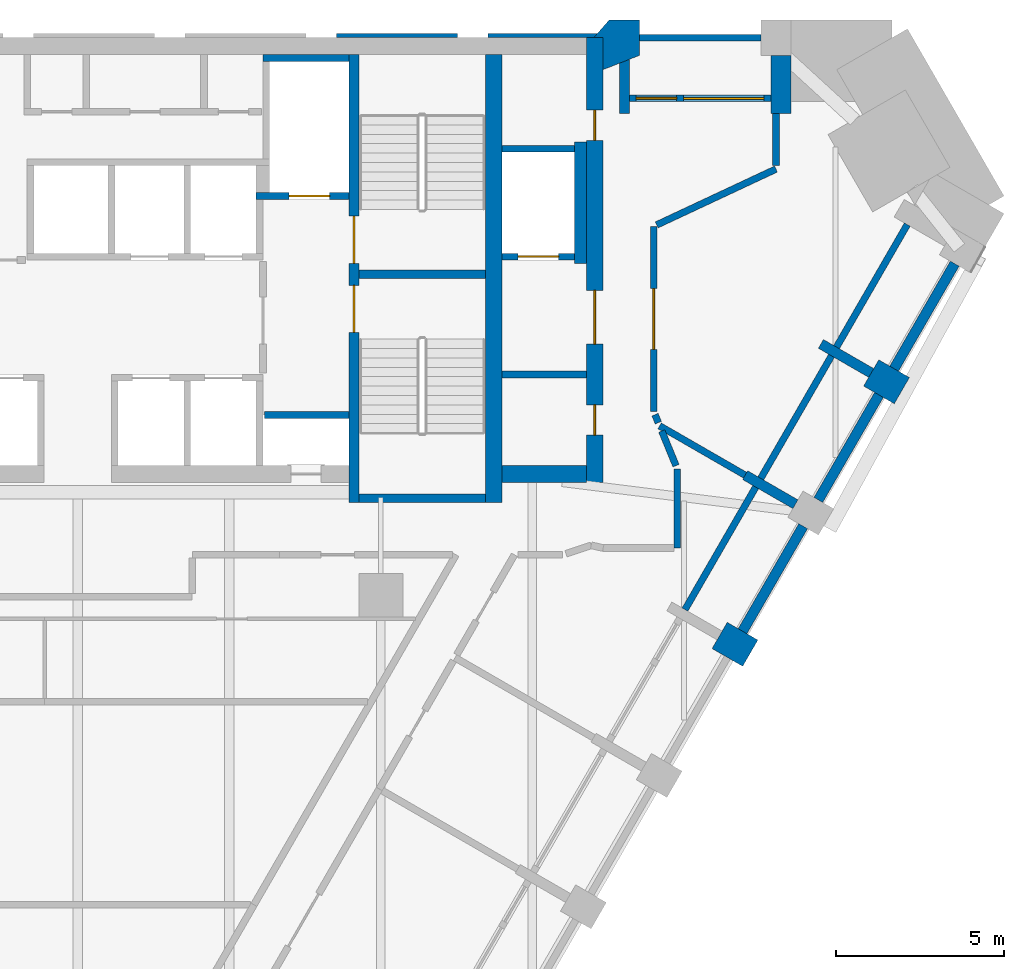
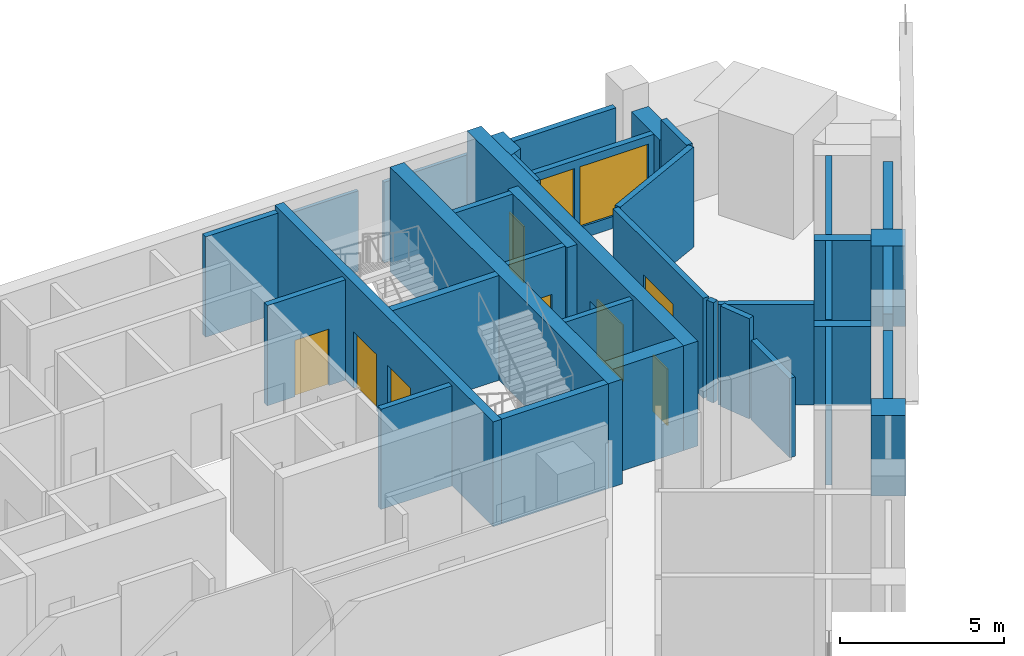
# One storey, part 7 of 9: 37 walls, 9 doors, 1 window, 10 openings.
"""IFC4 building model written with IfcOpenShell, lengths in metres."""

from ifc_helpers import new_model, si_unit, direction, frame, frame_2d, origin, place, context, subcontext, project, spatial, polyline, rectangle, outline, extrude, material, layer, layer_set, type_object, element, fill, save


model = new_model("IFC4")

# Units and contexts
model_context = context("Model", 3, precision=1e-05, world=origin(), true_north=direction((0.0, 1.0)))
body_context = subcontext(model_context, "Body", "Model", "MODEL_VIEW")
ifc_project = project(units=[si_unit("LENGTHUNIT", "METRE"), si_unit("AREAUNIT", "SQUARE_METRE"), si_unit("VOLUMEUNIT", "CUBIC_METRE"), si_unit("PLANEANGLEUNIT", "RADIAN"), si_unit("MASSUNIT", "GRAM", prefix="KILO")], contexts=[model_context])

# Site, building, storey
site_placement = place(None, origin())
site = spatial("IfcSite", under=ifc_project, at=site_placement, CompositionType="ELEMENT")
building_placement = place(site_placement, origin())
building = spatial("IfcBuilding", under=site, at=building_placement, Name="Calabash Gate Tower", CompositionType="ELEMENT")
storey_placement = place(building_placement, frame((0.0, 0.0, 168.0)))
storey = spatial("IfcBuildingStorey", under=building, at=storey_placement, Name="L39", CompositionType="ELEMENT", Elevation=168.0)

# Walls
ifc_material_1 = material(Name="Terracotta brick masonry, exposed face", Category="masonry")
ifc_layer_1 = layer(ifc_material_1, 1.050048828125)
ifc_layer_set_1 = layer_set([ifc_layer_1], Name="Brick end wall 1050")
wall_type_1 = type_object("IfcWallType", Name="Brick end wall 1050", PredefinedType="SOLIDWALL", material=ifc_layer_set_1)
wall_1_placement = place(storey_placement, frame((19.058349609375, 1.30419921875, 0.0), z_axis=(0.0, 0.0, 1.0), x_axis=(0.866030680601, -0.499990860175, 0.0)))
element("IfcWall", 1, at=wall_1_placement, inside=storey, type_object=wall_type_1, Name="Brick pier S11 SE4.5", PredefinedType="SOLIDWALL", context=body_context, shape_type="SweptSolid", body=[
    extrude(rectangle(XDim=1.0498046875, YDim=0.89990234375, at=frame_2d((0.52490234375, 0.0))), origin(), (0.0, 0.0, 1.0), 3.0),
])
wall_2_placement = place(storey_placement, frame((24.467529296875, 8.573486328125, 0.0), z_axis=(0.0, 0.0, 1.0), x_axis=(-0.86592997719, 0.500165247297, 0.0)))
element("IfcWall", 2, at=wall_2_placement, inside=storey, type_object=wall_type_1, Name="Brick pier S11 SE4.7", PredefinedType="SOLIDWALL", context=body_context, shape_type="SweptSolid", body=[
    extrude(rectangle(XDim=1.050048828125, YDim=0.89990234375, at=frame_2d((0.52490234375, 0.0))), origin(), (0.0, 0.0, 1.0), 3.0),
])
wall_3_placement = place(storey_placement, origin())
element("IfcWall", 3, at=wall_3_placement, inside=storey, type_object=wall_type_1, Name="Brick pier S11 N6.1", PredefinedType="SOLIDWALL", context=body_context, shape_type="SweptSolid", body=[
    extrude(outline(polyline([(15.60009765625, 18.104248046875), (16.6796875, 18.527587890625), (16.6796875, 19.57763671875), (15.779541015625, 19.57763671875), (15.319580078125, 19.052490234375), (15.60009765625, 19.052490234375), (15.60009765625, 18.104248046875)])), origin(), (0.0, 0.0, 1.0), 3.0),
])
ifc_material_2 = material(Name="Terracotta brick masonry, exposed face", Category="masonry")
ifc_layer_2 = layer(ifc_material_2, 0.300048828125)
ifc_layer_set_2 = layer_set([ifc_layer_2], Name="Brick infill panel wall 300")
wall_type_2 = type_object("IfcWallType", Name="Brick infill panel wall 300", PredefinedType="SOLIDWALL", material=ifc_layer_set_2)
wall_4_placement = place(storey_placement, frame((19.738037109375, 1.431396484375, 0.0), z_axis=(0.0, 0.0, 1.0), x_axis=(0.499982693035, 0.866035395735, 0.0)))
element("IfcWall", 4, at=wall_4_placement, inside=storey, type_object=wall_type_2, Name="Brick panel S11 SE4.6", PredefinedType="SOLIDWALL", context=body_context, shape_type="SweptSolid", body=[
    extrude(rectangle(XDim=3.600341796875, YDim=0.300048828125, at=frame_2d((1.80029296875, 0.0))), origin(), (0.0, 0.0, 1.0), 3.0),
])
for number, where, z_axis, x_axis, name in (
    (5, (21.988037109375, 5.32861328125, 0.0), (0.0, 0.0, 1.0), (0.500012057535, 0.866018442252, 0.0), "Brick panel S11 SE4.7"),
    (6, (24.238037109375, 9.225830078125, 0.0), (0.0, 0.0, 1.0), (0.500012057535, 0.866018442252, 0.0), "Brick panel S11 SE4.8"),
):
    element("IfcWall", number, at=place(storey_placement, frame(where, z_axis=z_axis, x_axis=x_axis)), inside=storey, type_object=wall_type_2, Name=name, PredefinedType="SOLIDWALL", context=body_context, shape_type="SweptSolid", body=[
        extrude(rectangle(XDim=3.60009765625, YDim=0.300048828125, at=frame_2d((1.800048828125, 0.0))), origin(), (0.0, 0.0, 1.0), 3.0),
    ])
ifc_material_3 = material(Name="Terracotta brick masonry, exposed face", Category="masonry")
ifc_layer_3 = layer(ifc_material_3, 0.300048828125)
ifc_layer_set_3 = layer_set([ifc_layer_3], Name="Brick loggia cheek wall 300")
wall_type_3 = type_object("IfcWallType", Name="Brick loggia cheek wall 300", PredefinedType="SOLIDWALL", material=ifc_layer_set_3)
wall_5_placement = place(storey_placement, frame((19.814453125, 6.06396484375, 0.0), z_axis=(0.0, 0.0, 1.0), x_axis=(0.866013532718, -0.500020560727, 0.0)))
element("IfcWall", 7, at=wall_5_placement, inside=storey, type_object=wall_type_3, Name="Loggia cheek S11 SE4.6", PredefinedType="SOLIDWALL", context=body_context, shape_type="SweptSolid", body=[
    extrude(rectangle(XDim=1.72509765625, YDim=0.300048828125, at=frame_2d((0.862548828125, 0.0))), origin(), (0.0, 0.0, 1.0), 2.9501953125),
])
wall_6_placement = place(storey_placement, frame((23.558349609375, 9.0986328125, 0.0), z_axis=(0.0, 0.0, 1.0), x_axis=(-0.866074815912, 0.499914405916, 0.0)))
element("IfcWall", 8, at=wall_6_placement, inside=storey, type_object=wall_type_3, Name="Loggia cheek S11 SE4.7", PredefinedType="SOLIDWALL", context=body_context, shape_type="SweptSolid", body=[
    extrude(rectangle(XDim=1.724853515625, YDim=0.300048828125, at=frame_2d((0.8623046875, 0.0))), origin(), (0.0, 0.0, 1.0), 3.0),
])
wall_7_placement = place(storey_placement, origin())
element("IfcWall", 9, at=wall_7_placement, inside=storey, type_object=wall_type_3, Name="Loggia cheek S11 N6.0", PredefinedType="SOLIDWALL", context=body_context, shape_type="SweptSolid", body=[
    extrude(outline(polyline([(21.1796875, 16.802490234375), (21.1796875, 18.527587890625), (20.57958984375, 18.527587890625), (20.57958984375, 16.802490234375), (21.1796875, 16.802490234375)])), origin(), (0.0, 0.0, 1.0), 3.0),
])
wall_8_placement = place(storey_placement, origin())
element("IfcWall", 10, at=wall_8_placement, inside=storey, type_object=wall_type_3, Name="Loggia cheek S11 N6.1", PredefinedType="SOLIDWALL", context=body_context, shape_type="SweptSolid", body=[
    extrude(outline(polyline([(16.07958984375, 18.292236328125), (16.07958984375, 16.802490234375), (16.379638671875, 16.802490234375), (16.379638671875, 18.409912109375), (16.07958984375, 18.292236328125)])), origin(), (0.0, 0.0, 1.0), 3.0),
])
ifc_material_4 = material(Name="Gypsum board on steel studs, mineral wool", Category="steel")
ifc_layer_4 = layer(ifc_material_4, 0.199951171875)
ifc_layer_set_4 = layer_set([ifc_layer_4], Name="Core partition 200 gypsum board")
wall_type_4 = type_object("IfcWallType", Name="Core partition 200 gypsum board", PredefinedType="PARTITIONING", material=ifc_layer_set_4)
wall_9_placement = place(storey_placement, frame((12.60009765625, 9.052490234375, 0.0), z_axis=(0.0, 0.0, 1.0), x_axis=(1.0, 0.0, 0.0)))
element("IfcWall", 11, at=wall_9_placement, inside=storey, type_object=wall_type_4, Name="Core partition", PredefinedType="PARTITIONING", context=body_context, shape_type="SweptSolid", body=[
    extrude(rectangle(XDim=2.5, YDim=0.199951171875, at=frame_2d((1.25, 0.0))), origin(), (0.0, 0.0, 1.0), 3.72998046875),
])
ifc_material_5 = material(Name="Concrete C70/85", Category="concrete")
ifc_layer_5 = layer(ifc_material_5, 0.25)
ifc_layer_set_5 = layer_set([ifc_layer_5], Name="Core wall 250 Concrete C70/85")
wall_type_5 = type_object("IfcWallType", Name="Core wall 250 Concrete C70/85", PredefinedType="SHEAR", material=ifc_layer_set_5)
for number, where, z_axis, x_axis, name in (
    (12, (8.35009765625, 12.027587890625, 0.0), (0.0, 0.0, 1.0), (1.0, 0.0, 0.0), "Core wall Z3-MIDE L39"),
    (13, (8.35009765625, 5.377685546875, 0.0), (0.0, 0.0, 1.0), (1.0, 0.0, 0.0), "Core wall Z3-SSE L39"),
):
    element("IfcWall", number, at=place(storey_placement, frame(where, z_axis=z_axis, x_axis=x_axis)), inside=storey, type_object=wall_type_5, Name=name, PredefinedType="SHEAR", context=body_context, shape_type="SweptSolid", body=[
        extrude(rectangle(XDim=3.75, YDim=0.25, at=frame_2d((1.875, 0.0))), origin(), (0.0, 0.0, 1.0), 3.89990234375),
    ])

# Wall, openings, doors
ifc_material_6 = material(Name="Concrete C70/85", Category="concrete")
ifc_layer_6 = layer(ifc_material_6, 0.300048828125)
ifc_layer_set_6 = layer_set([ifc_layer_6], Name="Core wall 300 Concrete C70/85")
wall_type_6 = type_object("IfcWallType", Name="Core wall 300 Concrete C70/85", PredefinedType="SHEAR", material=ifc_layer_set_6)
wall_10_placement = place(storey_placement, frame((8.199951171875, 5.252685546875, 0.0), z_axis=(0.0, 0.0, 1.0), x_axis=(0.0, 1.0, 0.0)))
wall_10 = element("IfcWall", 14, at=wall_10_placement, inside=storey, type_object=wall_type_6, Name="Core wall Z3-PARTE L39", PredefinedType="SHEAR", context=body_context, shape_type="SweptSolid", body=[
    extrude(rectangle(XDim=13.2998046875, YDim=0.300048828125, at=frame_2d((6.64990234375, 0.0))), origin(), (0.0, 0.0, 1.0), 3.89990234375),
])
opening_1_placement = place(wall_10_placement, frame((7.10009765625, 0.0, 0.0)))
opening_1 = element("IfcOpeningElement", 15, at=opening_1_placement, cuts=wall_10, Name="Opening O3-019", PredefinedType="OPENING", context=body_context, shape_type="SweptSolid", body=[
    extrude(rectangle(XDim=1.39990234375, YDim=2.10009765625, at=frame_2d((0.699951171875, 1.050048828125))), frame((0.0, 0.159912109375, 0.0), z_axis=(0.0, -1.0, 0.0), x_axis=(1.0, 0.0, 0.0)), (0.0, 0.0, 1.0), 0.320068359375),
])
opening_2_placement = place(wall_10_placement, frame((5.050048828125, 0.0, 0.0)))
opening_2 = element("IfcOpeningElement", 16, at=opening_2_placement, cuts=wall_10, Name="Opening O3-020", PredefinedType="OPENING", context=body_context, shape_type="SweptSolid", body=[
    extrude(rectangle(XDim=1.39990234375, YDim=2.10009765625, at=frame_2d((0.699951171875, 1.050048828125))), frame((0.0, 0.159912109375, 0.0), z_axis=(0.0, -1.0, 0.0), x_axis=(1.0, 0.0, 0.0)), (0.0, 0.0, 1.0), 0.320068359375),
])
ifc_material_7 = material(Name="Steel fire door set with fire-resisting glazing", Category="steel")
door_type_1 = type_object("IfcDoorType", Name="Fire door D05 1400x2100 FD90", OperationType="NOTDEFINED", PredefinedType="DOOR", material=ifc_material_7)
door_1_placement = place(opening_1_placement, origin())
door_1 = element("IfcDoor", 17, at=door_1_placement, inside=storey, type_object=door_type_1, Name="Exit stair door ST3", OperationType="SINGLE_SWING_RIGHT", OverallHeight=2.10009765625, OverallWidth=1.39990234375, PredefinedType="DOOR", context=body_context, shape_type="SweptSolid", body=[
    extrude(rectangle(XDim=1.39990234375, YDim=2.10009765625, at=frame_2d((0.699951171875, 1.050048828125))), frame((0.0, 0.02490234375, 0.0), z_axis=(0.0, -1.0, 0.0), x_axis=(1.0, 0.0, 0.0)), (0.0, 0.0, 1.0), 0.050048828125),
])
fill(opening_1, door_1)
door_2_placement = place(opening_2_placement, origin())
door_2 = element("IfcDoor", 18, at=door_2_placement, inside=storey, type_object=door_type_1, Name="Exit stair door ST4", OperationType="SINGLE_SWING_LEFT", OverallHeight=2.10009765625, OverallWidth=1.39990234375, PredefinedType="DOOR", context=body_context, shape_type="SweptSolid", body=[
    extrude(rectangle(XDim=1.39990234375, YDim=2.10009765625, at=frame_2d((0.699951171875, 1.050048828125))), frame((0.0, 0.02490234375, 0.0), z_axis=(0.0, -1.0, 0.0), x_axis=(1.0, 0.0, 0.0)), (0.0, 0.0, 1.0), 0.050048828125),
])
fill(opening_2, door_2)

# Walls
ifc_material_8 = material(Name="Concrete C70/85", Category="concrete")
ifc_layer_7 = layer(ifc_material_8, 0.5)
ifc_layer_set_7 = layer_set([ifc_layer_7], Name="Core wall 500 Concrete C70/85")
wall_type_7 = type_object("IfcWallType", Name="Core wall 500 Concrete C70/85", PredefinedType="SHEAR", material=ifc_layer_set_7)
wall_11_placement = place(storey_placement, frame((12.35009765625, 5.252685546875, 0.0), z_axis=(0.0, 0.0, 1.0), x_axis=(0.0, 1.0, 0.0)))
element("IfcWall", 19, at=wall_11_placement, inside=storey, type_object=wall_type_7, Name="Core wall Z3-COLE L39", PredefinedType="SHEAR", context=body_context, shape_type="SweptSolid", body=[
    extrude(rectangle(XDim=13.2998046875, YDim=0.5, at=frame_2d((6.64990234375, 0.0))), origin(), (0.0, 0.0, 1.0), 3.89990234375),
])
wall_12_placement = place(storey_placement, frame((12.60009765625, 6.1025390625, 0.0), z_axis=(0.0, 0.0, 1.0), x_axis=(1.0, 0.0, 0.0)))
element("IfcWall", 20, at=wall_12_placement, inside=storey, type_object=wall_type_7, Name="Core wall Z3-SE L39", PredefinedType="SHEAR", context=body_context, shape_type="SweptSolid", body=[
    extrude(rectangle(XDim=2.5, YDim=0.5, at=frame_2d((1.25, 0.0))), origin(), (0.0, 0.0, 1.0), 3.89990234375),
])

# Wall, openings, doors
wall_13_placement = place(storey_placement, frame((15.35009765625, 5.8525390625, 0.0), z_axis=(0.0, 0.0, 1.0), x_axis=(0.0, 1.0, 0.0)))
wall_13 = element("IfcWall", 21, at=wall_13_placement, inside=storey, type_object=wall_type_7, Name="Core wall Z3-ENDE L39", PredefinedType="SHEAR", context=body_context, shape_type="SweptSolid", body=[
    extrude(rectangle(XDim=13.199951171875, YDim=0.5, at=frame_2d((6.60009765625, 0.0))), origin(), (0.0, 0.0, 1.0), 3.89990234375),
])
opening_3_placement = place(wall_13_placement, frame((4.10009765625, 0.0, 0.0)))
opening_3 = element("IfcOpeningElement", 22, at=opening_3_placement, cuts=wall_13, Name="Opening O3-003", PredefinedType="OPENING", context=body_context, shape_type="SweptSolid", body=[
    extrude(rectangle(XDim=1.60009765625, YDim=2.10009765625, at=frame_2d((0.800048828125, 1.050048828125))), frame((0.0, 0.260009765625, 0.0), z_axis=(0.0, -1.0, 0.0), x_axis=(1.0, 0.0, 0.0)), (0.0, 0.0, 1.0), 0.52001953125),
])
opening_4_placement = place(wall_13_placement, frame((1.39990234375, 0.0, 0.0)))
opening_4 = element("IfcOpeningElement", 23, at=opening_4_placement, cuts=wall_13, Name="Opening O3-001", PredefinedType="OPENING", context=body_context, shape_type="SweptSolid", body=[
    extrude(rectangle(XDim=0.89990234375, YDim=2.10009765625, at=frame_2d((0.449951171875, 1.050048828125))), frame((0.0, 0.260009765625, 0.0), z_axis=(0.0, -1.0, 0.0), x_axis=(1.0, 0.0, 0.0)), (0.0, 0.0, 1.0), 0.52001953125),
])
opening_5_placement = place(wall_13_placement, frame((10.14990234375, 0.0, 0.0)))
opening_5 = element("IfcOpeningElement", 24, at=opening_5_placement, cuts=wall_13, Name="Opening O3-002", PredefinedType="OPENING", context=body_context, shape_type="SweptSolid", body=[
    extrude(rectangle(XDim=0.89990234375, YDim=2.10009765625, at=frame_2d((0.449951171875, 1.050048828125))), frame((0.0, 0.260009765625, 0.0), z_axis=(0.0, -1.0, 0.0), x_axis=(1.0, 0.0, 0.0)), (0.0, 0.0, 1.0), 0.52001953125),
])
ifc_material_9 = material(Name="Steel fire door set with fire-resisting glazing", Category="steel")
door_type_2 = type_object("IfcDoorType", Name="Double fire door D08 1600x2100 FD60", OperationType="DOUBLE_DOOR_SINGLE_SWING", PredefinedType="DOOR", material=ifc_material_9)
door_3_placement = place(opening_3_placement, origin())
door_3 = element("IfcDoor", 25, at=door_3_placement, inside=storey, type_object=door_type_2, Name="Service Lift Lobby E door", OperationType="DOUBLE_DOOR_SINGLE_SWING", OverallHeight=2.10009765625, OverallWidth=1.60009765625, PredefinedType="DOOR", context=body_context, shape_type="SweptSolid", body=[
    extrude(rectangle(XDim=1.60009765625, YDim=2.10009765625, at=frame_2d((0.800048828125, 1.050048828125))), frame((0.0, 0.02490234375, 0.0), z_axis=(0.0, -1.0, 0.0), x_axis=(1.0, 0.0, 0.0)), (0.0, 0.0, 1.0), 0.050048828125),
])
fill(opening_3, door_3)
ifc_material_10 = material(Name="Steel fire door set with fire-resisting glazing", Category="steel")
door_type_3 = type_object("IfcDoorType", Name="Fire door D06 900x2100 FD60", OperationType="NOTDEFINED", PredefinedType="DOOR", material=ifc_material_10)
door_4_placement = place(opening_4_placement, origin())
door_4 = element("IfcDoor", 26, at=door_4_placement, inside=storey, type_object=door_type_3, Name="Men's WC door", OperationType="SINGLE_SWING_RIGHT", OverallHeight=2.10009765625, OverallWidth=0.89990234375, PredefinedType="DOOR", context=body_context, shape_type="SweptSolid", body=[
    extrude(rectangle(XDim=0.89990234375, YDim=2.10009765625, at=frame_2d((0.449951171875, 1.050048828125))), frame((0.0, 0.02490234375, 0.0), z_axis=(0.0, -1.0, 0.0), x_axis=(1.0, 0.0, 0.0)), (0.0, 0.0, 1.0), 0.050048828125),
])
fill(opening_4, door_4)
door_5_placement = place(opening_5_placement, origin())
door_5 = element("IfcDoor", 27, at=door_5_placement, inside=storey, type_object=door_type_3, Name="Tenant Pantry door", OperationType="SINGLE_SWING_LEFT", OverallHeight=2.10009765625, OverallWidth=0.89990234375, PredefinedType="DOOR", context=body_context, shape_type="SweptSolid", body=[
    extrude(rectangle(XDim=0.89990234375, YDim=2.10009765625, at=frame_2d((0.449951171875, 1.050048828125))), frame((0.0, 0.02490234375, 0.0), z_axis=(0.0, -1.0, 0.0), x_axis=(1.0, 0.0, 0.0)), (0.0, 0.0, 1.0), 0.050048828125),
])
fill(opening_5, door_5)

# Walls
ifc_material_11 = material(Name="Gypsum board on steel studs, mineral wool", Category="steel")
ifc_layer_8 = layer(ifc_material_11, 0.199951171875)
ifc_layer_set_8 = layer_set([ifc_layer_8], Name="Partition 200 gypsum board EI 60")
wall_type_8 = type_object("IfcWallType", Name="Partition 200 gypsum board EI 60", PredefinedType="PARTITIONING", material=ifc_layer_set_8)
wall_14_placement = place(storey_placement, frame((17.275634765625, 7.52734375, 0.0), z_axis=(0.0, 0.0, 1.0), x_axis=(0.866324259283, -0.499482009464, 0.0)))
element("IfcWall", 28, at=wall_14_placement, inside=storey, type_object=wall_type_8, Name="Partition", PredefinedType="PARTITIONING", context=body_context, shape_type="SweptSolid", body=[
    extrude(rectangle(XDim=2.93017578125, YDim=0.199951171875, at=frame_2d((1.465087890625, 0.0))), origin(), (0.0, 0.0, 1.0), 3.72998046875),
])
wall_15_placement = place(storey_placement, frame((17.80029296875, 3.899658203125, 0.0), z_axis=(0.0, 0.0, 1.0), x_axis=(0.000103755965, 0.999999994617, 0.0)))
element("IfcWall", 29, at=wall_15_placement, inside=storey, type_object=wall_type_8, Name="Partition", PredefinedType="PARTITIONING", context=body_context, shape_type="SweptSolid", body=[
    extrude(rectangle(XDim=2.35302734375, YDim=0.199951171875, at=frame_2d((1.176513671875, 0.0))), origin(), (0.0, 0.0, 1.0), 2.9501953125),
])
wall_16_placement = place(storey_placement, frame((17.33984375, 7.375, 0.0), z_axis=(0.0, 0.0, 1.0), x_axis=(0.379657440063, -0.925127141643, 0.0)))
element("IfcWall", 30, at=wall_16_placement, inside=storey, type_object=wall_type_8, Name="Partition", PredefinedType="PARTITIONING", context=body_context, shape_type="SweptSolid", body=[
    extrude(rectangle(XDim=1.113037109375, YDim=0.199951171875, at=frame_2d((0.556640625, 0.0))), origin(), (0.0, 0.0, 1.0), 3.72998046875),
])
wall_17_placement = place(storey_placement, frame((17.138916015625, 7.8603515625, 0.0), z_axis=(0.0, 0.0, 1.0), x_axis=(0.383408069738, -0.923579044836, 0.0)))
element("IfcWall", 31, at=wall_17_placement, inside=storey, type_object=wall_type_8, Name="Partition", PredefinedType="PARTITIONING", context=body_context, shape_type="SweptSolid", body=[
    extrude(rectangle(XDim=0.258544921875, YDim=0.199951171875, at=frame_2d((0.12939453125, 0.0))), origin(), (0.0, 0.0, 1.0), 3.72998046875),
])

# Wall, opening, door
wall_18_placement = place(storey_placement, frame((17.1005859375, 7.95263671875, 0.0), z_axis=(0.0, 0.0, 1.0), x_axis=(0.0, 1.0, 0.0)))
wall_18 = element("IfcWall", 32, at=wall_18_placement, inside=storey, type_object=wall_type_8, Name="Partition", PredefinedType="PARTITIONING", context=body_context, shape_type="SweptSolid", body=[
    extrude(rectangle(XDim=5.49951171875, YDim=0.199951171875, at=frame_2d((2.749755859375, 0.0))), origin(), (0.0, 0.0, 1.0), 3.72998046875),
])
opening_6_placement = place(wall_18_placement, frame((1.849609375, 0.0, 0.0)))
opening_6 = element("IfcOpeningElement", 33, at=opening_6_placement, cuts=wall_18, Name="Opening 39-41-011", PredefinedType="OPENING", context=body_context, shape_type="SweptSolid", body=[
    extrude(rectangle(XDim=1.800048828125, YDim=2.39990234375, at=frame_2d((0.89990234375, 1.199951171875))), frame((0.0, 0.10986328125, 0.0), z_axis=(0.0, -1.0, 0.0), x_axis=(1.0, 0.0, 0.0)), (0.0, 0.0, 1.0), 0.219970703125),
])
ifc_material_12 = material(Name="Steel fire door set with fire-resisting glazing", Category="steel")
door_type_4 = type_object("IfcDoorType", Name="OD5 Open office double door 1800x2400", OperationType="NOTDEFINED", PredefinedType="DOOR", material=ifc_material_12)
door_6_placement = place(opening_6_placement, origin())
door_6 = element("IfcDoor", 34, at=door_6_placement, inside=storey, type_object=door_type_4, Name="Open office double door", OperationType="DOUBLE_DOOR_SINGLE_SWING", OverallHeight=2.39990234375, OverallWidth=1.800048828125, PredefinedType="DOOR", context=body_context, shape_type="SweptSolid", body=[
    extrude(rectangle(XDim=1.800048828125, YDim=2.39990234375, at=frame_2d((0.89990234375, 1.199951171875))), frame((0.0, 0.02490234375, 0.0), z_axis=(0.0, -1.0, 0.0), x_axis=(1.0, 0.0, 0.0)), (0.0, 0.0, 1.0), 0.050048828125),
])
fill(opening_6, door_6)

# Walls
wall_19_placement = place(storey_placement, frame((17.191162109375, 13.49462890625, 0.0), z_axis=(0.0, 0.0, 1.0), x_axis=(0.905591697206, 0.424150536898, 0.0)))
element("IfcWall", 35, at=wall_19_placement, inside=storey, type_object=wall_type_8, Name="Partition", PredefinedType="PARTITIONING", context=body_context, shape_type="SweptSolid", body=[
    extrude(rectangle(XDim=3.90771484375, YDim=0.199951171875, at=frame_2d((1.953857421875, 0.0))), origin(), (0.0, 0.0, 1.0), 3.72998046875),
])
wall_20_placement = place(storey_placement, frame((20.72998046875, 15.252197265625, 0.0), z_axis=(0.0, 0.0, 1.0), x_axis=(0.000157480313, 0.9999999876, 0.0)))
element("IfcWall", 36, at=wall_20_placement, inside=storey, type_object=wall_type_8, Name="Partition", PredefinedType="PARTITIONING", context=body_context, shape_type="SweptSolid", body=[
    extrude(rectangle(XDim=1.55029296875, YDim=0.199951171875, at=frame_2d((0.775146484375, 0.0))), origin(), (0.0, 0.0, 1.0), 3.72998046875),
])
ifc_material_13 = material(Name="Concrete C40/50", Category="concrete")
ifc_layer_9 = layer(ifc_material_13, 0.199951171875)
ifc_layer_set_9 = layer_set([ifc_layer_9], Name="Shaft wall 200 Concrete C40/50")
wall_type_9 = type_object("IfcWallType", Name="Shaft wall 200 Concrete C40/50", PredefinedType="SOLIDWALL", material=ifc_layer_set_9)
wall_21_placement = place(storey_placement, frame((5.550048828125, 7.8525390625, 0.0), z_axis=(0.0, 0.0, 1.0), x_axis=(1.0, 0.0, 0.0)))
element("IfcWall", 37, at=wall_21_placement, inside=storey, type_object=wall_type_9, Name="Shaft wall", PredefinedType="SOLIDWALL", context=body_context, shape_type="SweptSolid", body=[
    extrude(rectangle(XDim=2.5, YDim=0.199951171875, at=frame_2d((1.25, 0.0))), origin(), (0.0, 0.0, 1.0), 3.72998046875),
])
wall_22_placement = place(storey_placement, frame((14.925048828125, 12.3525390625, 0.0), z_axis=(0.0, 0.0, 1.0), x_axis=(0.0, 1.0, 0.0)))
element("IfcWall", 38, at=wall_22_placement, inside=storey, type_object=wall_type_9, Name="Shaft wall", PredefinedType="SOLIDWALL", context=body_context, shape_type="SweptSolid", body=[
    extrude(rectangle(XDim=3.60009765625, YDim=0.35009765625, at=frame_2d((1.800048828125, 0.0))), origin(), (0.0, 0.0, 1.0), 3.72998046875),
])

# Wall, opening, door
wall_23_placement = place(storey_placement, frame((12.60009765625, 12.552490234375, 0.0), z_axis=(0.0, 0.0, 1.0), x_axis=(1.0, 0.0, 0.0)))
wall_23 = element("IfcWall", 39, at=wall_23_placement, inside=storey, type_object=wall_type_9, Name="Shaft wall", PredefinedType="SOLIDWALL", context=body_context, shape_type="SweptSolid", body=[
    extrude(rectangle(XDim=2.14990234375, YDim=0.199951171875, at=frame_2d((1.074951171875, 0.0))), origin(), (0.0, 0.0, 1.0), 3.72998046875),
])
opening_7_placement = place(wall_23_placement, frame((0.47509765625, 0.0, 0.0)))
opening_7 = element("IfcOpeningElement", 40, at=opening_7_placement, cuts=wall_23, Name="Opening LD-SL1", PredefinedType="OPENING", context=body_context, shape_type="SweptSolid", body=[
    extrude(rectangle(XDim=1.199951171875, YDim=2.10009765625, at=frame_2d((0.60009765625, 1.050048828125))), frame((0.0, 0.10986328125, 0.0), z_axis=(0.0, -1.0, 0.0), x_axis=(1.0, 0.0, 0.0)), (0.0, 0.0, 1.0), 0.219970703125),
])
ifc_material_14 = material(Name="Stainless steel sliding door leaves", Category="steel")
door_type_5 = type_object("IfcDoorType", Name="Lift landing door LS3 1200x2100 FD90", OperationType="DOUBLE_DOOR_SLIDING", PredefinedType="DOOR", material=ifc_material_14)
door_7_placement = place(opening_7_placement, origin())
door_7 = element("IfcDoor", 41, at=door_7_placement, inside=storey, type_object=door_type_5, Name="Lift landing door SL1", OperationType="DOUBLE_DOOR_SLIDING", OverallHeight=2.10009765625, OverallWidth=1.199951171875, PredefinedType="DOOR", context=body_context, shape_type="SweptSolid", body=[
    extrude(rectangle(XDim=1.199951171875, YDim=2.10009765625, at=frame_2d((0.60009765625, 1.050048828125))), frame((0.0, 0.02490234375, 0.0), z_axis=(0.0, -1.0, 0.0), x_axis=(1.0, 0.0, 0.0)), (0.0, 0.0, 1.0), 0.050048828125),
])
fill(opening_7, door_7)

wall_24_placement = place(storey_placement, frame((5.300048828125, 14.3525390625, 0.0), z_axis=(0.0, 0.0, 1.0), x_axis=(1.0, 0.0, 0.0)))
wall_24 = element("IfcWall", 42, at=wall_24_placement, inside=storey, type_object=wall_type_9, Name="Shaft wall", PredefinedType="SOLIDWALL", context=body_context, shape_type="SweptSolid", body=[
    extrude(rectangle(XDim=2.75, YDim=0.199951171875, at=frame_2d((1.375, 0.0))), origin(), (0.0, 0.0, 1.0), 3.72998046875),
])
opening_8_placement = place(wall_24_placement, frame((0.97509765625, 0.0, 0.0)))
opening_8 = element("IfcOpeningElement", 43, at=opening_8_placement, cuts=wall_24, Name="Opening LD-FF2", PredefinedType="OPENING", context=body_context, shape_type="SweptSolid", body=[
    extrude(rectangle(XDim=1.199951171875, YDim=2.10009765625, at=frame_2d((0.60009765625, 1.050048828125))), frame((0.0, 0.10986328125, 0.0), z_axis=(0.0, -1.0, 0.0), x_axis=(1.0, 0.0, 0.0)), (0.0, 0.0, 1.0), 0.219970703125),
])
door_8_placement = place(opening_8_placement, origin())
door_8 = element("IfcDoor", 44, at=door_8_placement, inside=storey, type_object=door_type_5, Name="Lift landing door FF2", OperationType="DOUBLE_DOOR_SLIDING", OverallHeight=2.10009765625, OverallWidth=1.199951171875, PredefinedType="DOOR", context=body_context, shape_type="SweptSolid", body=[
    extrude(rectangle(XDim=1.199951171875, YDim=2.10009765625, at=frame_2d((0.60009765625, 1.050048828125))), frame((0.0, 0.02490234375, 0.0), z_axis=(0.0, -1.0, 0.0), x_axis=(1.0, 0.0, 0.0)), (0.0, 0.0, 1.0), 0.050048828125),
])
fill(opening_8, door_8)

# Walls
wall_25_placement = place(storey_placement, frame((12.60009765625, 15.752685546875, 0.0), z_axis=(0.0, 0.0, 1.0), x_axis=(1.0, 0.0, 0.0)))
element("IfcWall", 45, at=wall_25_placement, inside=storey, type_object=wall_type_9, Name="Shaft wall", PredefinedType="SOLIDWALL", context=body_context, shape_type="SweptSolid", body=[
    extrude(rectangle(XDim=2.14990234375, YDim=0.199951171875, at=frame_2d((1.074951171875, 0.0))), origin(), (0.0, 0.0, 1.0), 3.72998046875),
])
wall_26_placement = place(storey_placement, frame((5.5, 18.45263671875, 0.0), z_axis=(0.0, 0.0, 1.0), x_axis=(1.0, 0.0, 0.0)))
element("IfcWall", 46, at=wall_26_placement, inside=storey, type_object=wall_type_9, Name="Shaft wall", PredefinedType="SOLIDWALL", context=body_context, shape_type="SweptSolid", body=[
    extrude(rectangle(XDim=2.550048828125, YDim=0.199951171875, at=frame_2d((1.27490234375, 0.0))), origin(), (0.0, 0.0, 1.0), 3.72998046875),
])
ifc_material_15 = material(Name="Terracotta brick masonry, perforated", Category="masonry")
ifc_layer_10 = layer(ifc_material_15, 0.1201171875)
ifc_layer_set_10 = layer_set([ifc_layer_10], Name="Terracotta jaali cladding A 120")
wall_type_10 = type_object("IfcWallType", Name="Terracotta jaali cladding A 120", PredefinedType="SOLIDWALL", material=ifc_layer_set_10)
wall_27_placement = place(storey_placement, origin())
element("IfcWall", 47, at=wall_27_placement, inside=storey, type_object=wall_type_10, Name="Jaali cladding S11 N6.3", PredefinedType="SOLIDWALL", context=body_context, shape_type="SweptSolid", body=[
    extrude(outline(polyline([(7.6796875, 19.172607421875), (7.6796875, 19.052490234375), (11.279541015625, 19.052490234375), (11.279541015625, 19.172607421875), (7.6796875, 19.172607421875)])), origin(), (0.0, 0.0, 1.0), 3.0),
])
ifc_material_16 = material(Name="Terracotta brick masonry, perforated", Category="masonry")
ifc_layer_11 = layer(ifc_material_16, 0.199951171875)
ifc_layer_set_11 = layer_set([ifc_layer_11], Name="Terracotta jaali screen A")
wall_type_11 = type_object("IfcWallType", Name="Terracotta jaali screen A", PredefinedType="SOLIDWALL", material=ifc_layer_set_11)
wall_28_placement = place(storey_placement, frame((20.279541015625, 19.052490234375, 0.0), z_axis=(0.0, 0.0, 1.0), x_axis=(-1.0, 0.0, 0.0)))
element("IfcWall", 48, at=wall_28_placement, inside=storey, type_object=wall_type_11, Name="SCREEN A S11 N6.1", PredefinedType="SOLIDWALL", context=body_context, shape_type="SweptSolid", body=[
    extrude(rectangle(XDim=3.599853515625, YDim=0.199951171875, at=frame_2d((1.7998046875, 0.0))), origin(), (0.0, 0.0, 1.0), 3.0),
])
ifc_material_17 = material(Name="Terracotta louvre blades in an aluminium frame", Category="masonry")
ifc_layer_12 = layer(ifc_material_17, 0.1201171875)
ifc_layer_set_12 = layer_set([ifc_layer_12], Name="Terracotta vent louvre cladding 120")
wall_type_12 = type_object("IfcWallType", Name="Terracotta vent louvre cladding 120", PredefinedType="ELEMENTEDWALL", material=ifc_layer_set_12)
wall_29_placement = place(storey_placement, origin())
element("IfcWall", 49, at=wall_29_placement, inside=storey, type_object=wall_type_12, Name="Vent louvre cladding S11 N6.2", PredefinedType="ELEMENTEDWALL", context=body_context, shape_type="SweptSolid", body=[
    extrude(outline(polyline([(12.1796875, 19.172607421875), (12.1796875, 19.052490234375), (15.319091796875, 19.052490234375), (15.424072265625, 19.172607421875), (12.1796875, 19.172607421875)])), origin(), (0.0, 0.0, 1.0), 3.0),
])
ifc_material_18 = material(Name="Aluminium framed window wall with insulated spandrel", Category="aluminium")
ifc_layer_13 = layer(ifc_material_18, 0.199951171875)
ifc_layer_set_13 = layer_set([ifc_layer_13], Name="Window wall 200")
wall_type_13 = type_object("IfcWallType", Name="Window wall 200", PredefinedType="ELEMENTEDWALL", material=ifc_layer_set_13)
wall_30_placement = place(storey_placement, frame((18.029052734375, 2.07177734375, 0.0), z_axis=(0.0, 0.0, 1.0), x_axis=(0.500027713859, 0.866009402589, 0.0)))
element("IfcWall", 50, at=wall_30_placement, inside=storey, type_object=wall_type_13, Name="Window wall S11 SE4.6", PredefinedType="ELEMENTEDWALL", context=body_context, shape_type="SweptSolid", body=[
    extrude(rectangle(XDim=4.199951171875, YDim=0.199951171875, at=frame_2d((2.10009765625, 0.0))), origin(), (0.0, 0.0, 1.0), 2.9501953125),
])
wall_31_placement = place(storey_placement, frame((20.279052734375, 5.96875, 0.0), z_axis=(0.0, 0.0, 1.0), x_axis=(0.500002543286, 0.866023935413, 0.0)))
element("IfcWall", 51, at=wall_31_placement, inside=storey, type_object=wall_type_13, Name="Window wall S11 SE4.7", PredefinedType="ELEMENTEDWALL", context=body_context, shape_type="SweptSolid", body=[
    extrude(rectangle(XDim=4.2001953125, YDim=0.199951171875, at=frame_2d((2.10009765625, 0.0))), origin(), (0.0, 0.0, 1.0), 3.0),
])
wall_32_placement = place(storey_placement, frame((22.529052734375, 9.865966796875, 0.0), z_axis=(0.0, 0.0, 1.0), x_axis=(0.500027713859, 0.866009402589, 0.0)))
element("IfcWall", 52, at=wall_32_placement, inside=storey, type_object=wall_type_13, Name="Window wall S11 SE4.8", PredefinedType="ELEMENTEDWALL", context=body_context, shape_type="SweptSolid", body=[
    extrude(rectangle(XDim=4.199951171875, YDim=0.199951171875, at=frame_2d((2.10009765625, 0.0))), origin(), (0.0, 0.0, 1.0), 3.0),
])

# Wall, openings, door, window
wall_33_placement = place(storey_placement, frame((20.57958984375, 17.25244140625, 0.0), z_axis=(0.0, 0.0, 1.0), x_axis=(-1.0, 0.0, 0.0)))
wall_33 = element("IfcWall", 53, at=wall_33_placement, inside=storey, type_object=wall_type_13, Name="Window wall S11 N6.1", PredefinedType="ELEMENTEDWALL", context=body_context, shape_type="SweptSolid", body=[
    extrude(rectangle(XDim=4.199951171875, YDim=0.199951171875, at=frame_2d((2.10009765625, 0.0))), origin(), (0.0, 0.0, 1.0), 3.0),
])
opening_9_placement = place(wall_33_placement, frame((0.199951171875, 0.0, 0.449951171875)))
opening_9 = element("IfcOpeningElement", 54, at=opening_9_placement, cuts=wall_33, Name="Opening OW1", PredefinedType="OPENING", context=body_context, shape_type="SweptSolid", body=[
    extrude(rectangle(XDim=2.39990234375, YDim=2.25, at=frame_2d((1.199951171875, 1.125))), frame((0.0, 0.10986328125, 0.0), z_axis=(0.0, -1.0, 0.0), x_axis=(1.0, 0.0, 0.0)), (0.0, 0.0, 1.0), 0.219970703125),
])
opening_10_placement = place(wall_33_placement, frame((2.800048828125, 0.0, 0.0)))
opening_10 = element("IfcOpeningElement", 55, at=opening_10_placement, cuts=wall_33, Name="Opening O3-021", PredefinedType="OPENING", context=body_context, shape_type="SweptSolid", body=[
    extrude(rectangle(XDim=1.199951171875, YDim=2.699951171875, at=frame_2d((0.60009765625, 1.35009765625))), frame((0.0, 0.10986328125, 0.0), z_axis=(0.0, -1.0, 0.0), x_axis=(1.0, 0.0, 0.0)), (0.0, 0.0, 1.0), 0.219970703125),
])
ifc_material_19 = material(Name="Anodised aluminium frame, bronze finish, impact-rated laminated clear glazing", Category="aluminium")
door_type_6 = type_object("IfcDoorType", Name="Loggia door DO1 1200x2700", OperationType="SLIDING_TO_LEFT", PredefinedType="DOOR", material=ifc_material_19)
door_9_placement = place(opening_10_placement, origin())
door_9 = element("IfcDoor", 56, at=door_9_placement, inside=storey, type_object=door_type_6, Name="Loggia door S11 N6.1", OperationType="SINGLE_SWING_LEFT", OverallHeight=2.699951171875, OverallWidth=1.199951171875, PredefinedType="DOOR", context=body_context, shape_type="SweptSolid", body=[
    extrude(rectangle(XDim=1.199951171875, YDim=2.699951171875, at=frame_2d((0.60009765625, 1.35009765625))), frame((0.0, 0.02490234375, 0.0), z_axis=(0.0, -1.0, 0.0), x_axis=(1.0, 0.0, 0.0)), (0.0, 0.0, 1.0), 0.050048828125),
])
fill(opening_10, door_9)
ifc_material_20 = material(Name="Anodised aluminium frame, bronze finish, impact-rated laminated clear glazing", Category="aluminium")
window_type = type_object("IfcWindowType", Name="Window OW1 2400x2250", PartitioningType="DOUBLE_PANEL_VERTICAL", PredefinedType="WINDOW", material=ifc_material_20)
window_placement = place(opening_9_placement, origin())
window = element("IfcWindow", 57, at=window_placement, inside=storey, type_object=window_type, Name="Window OW1 S11 N6.1", OverallHeight=2.25, OverallWidth=2.39990234375, PartitioningType="SINGLE_PANEL", PredefinedType="WINDOW", context=body_context, shape_type="SweptSolid", body=[
    extrude(rectangle(XDim=2.39990234375, YDim=2.25, at=frame_2d((1.199951171875, 1.125))), frame((0.0, 0.030029296875, 0.0), z_axis=(0.0, -1.0, 0.0), x_axis=(1.0, 0.0, 0.0)), (0.0, 0.0, 1.0), 0.06005859375),
])
fill(opening_9, window)

save(model, "model.ifc")
